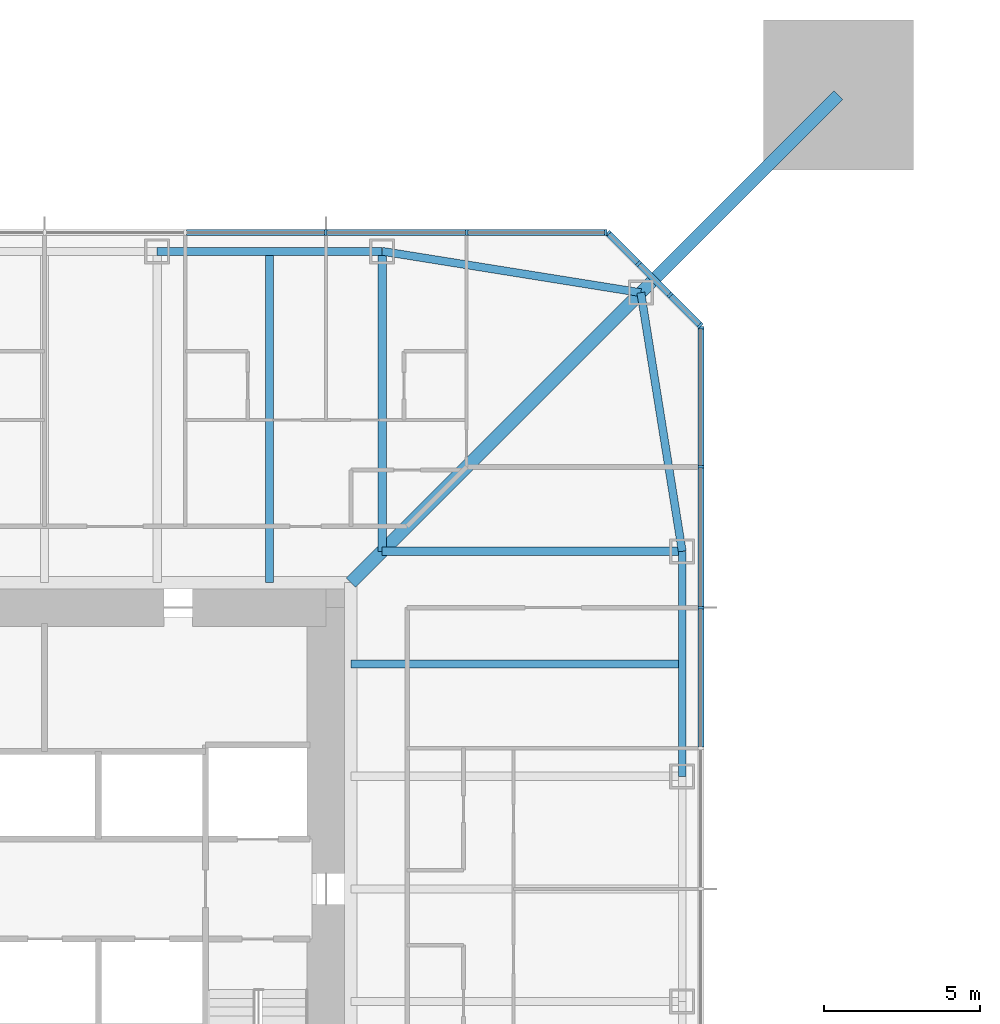
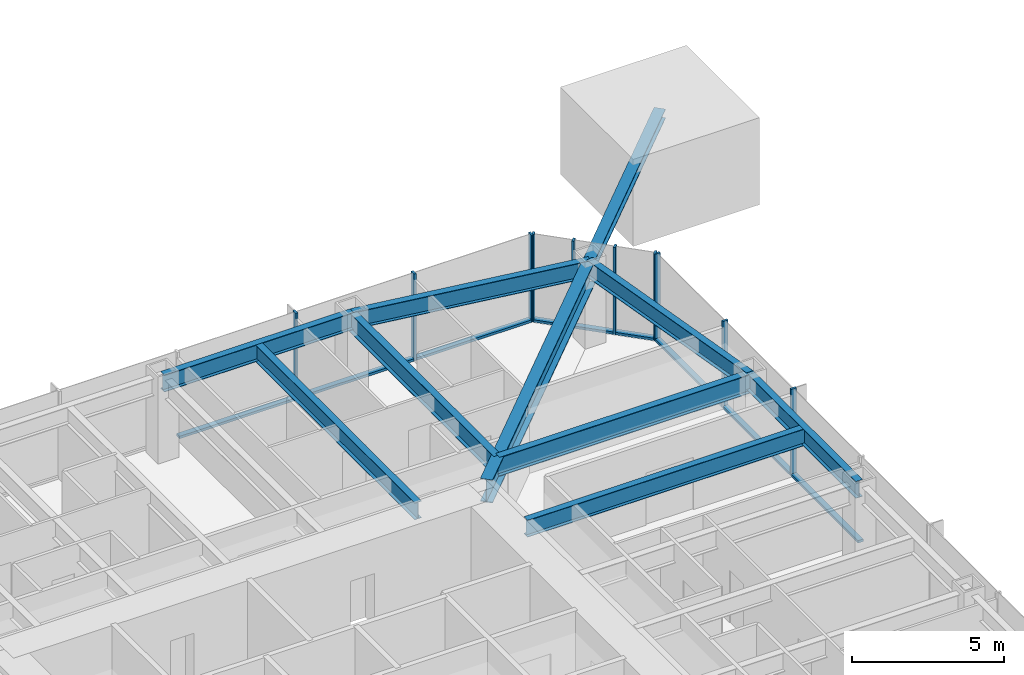
# One storey, part 7 of 25: 20 members, 9 beams, 3 elements without a shape of their own.
"""IFC4 building model written with IfcOpenShell, lengths in metres."""

import ifcopenshell
import ifcopenshell.guid

model = None  # the IFC model being written
_history = None  # IfcOwnerHistory: only IFC2X3 demands one
_inside = {}  # id of a spatial element -> (the spatial element, [elements in it])
_under = {}  # id of a project, library or spatial element -> (it, [spatial elements below it])
_declared = {}  # id of a project -> (the project, [libraries it declares])
_typed = {}  # id of a type object -> (the type object, [elements of that type])
_made_of = {}  # id of a material, layer set ... -> (it, [elements and type objects made of it])


def new_model(schema):
    """Start an empty IFC model of exactly this schema.

    Asked for "IFC4X3", IfcOpenShell would pick the latest addendum, in which some entities
    have other attributes; the version numbers below select the first issue.
    IFC2X3 requires an IfcOwnerHistory on every rooted entity: one is made here for all.
    """
    global model, _history
    if schema == "IFC4X3":
        model = ifcopenshell.file(schema_version=(4, 3, 0, 0))
    else:
        model = ifcopenshell.file(schema=schema)
    _inside.clear()
    _under.clear()
    _declared.clear()
    _typed.clear()
    _made_of.clear()
    _history = None
    if model.schema == "IFC2X3":
        org = make("IfcOrganization", Name="unknown")
        user = make(
            "IfcPersonAndOrganization",
            ThePerson=make("IfcPerson", FamilyName="unknown"),
            TheOrganization=org,
        )
        app = make(
            "IfcApplication",
            ApplicationDeveloper=org,
            Version="unknown",
            ApplicationFullName="unknown",
            ApplicationIdentifier="unknown",
        )
        _history = make(
            "IfcOwnerHistory",
            OwningUser=user,
            OwningApplication=app,
            ChangeAction="ADDED",
            CreationDate=0,
        )
    return model


def make(cls, **values):
    """One entity of the class cls with the attributes given. An attribute that is None is left unset."""
    return model.create_entity(
        cls, **{name: value for name, value in values.items() if value is not None}
    )


def rooted(cls, **values):
    """An entity with a GlobalId (a new one), such as an element, a storey or a relation."""
    return make(cls, GlobalId=ifcopenshell.guid.new(), OwnerHistory=_history, **values)


def si_unit(unit_type, name, prefix=None):
    """IfcSIUnit, for example si_unit("LENGTHUNIT", "METRE", prefix="MILLI")."""
    return make("IfcSIUnit", UnitType=unit_type, Prefix=prefix, Name=name)


def assignment(units):
    """IfcUnitAssignment: the units of a project."""
    return None if units is None else make("IfcUnitAssignment", Units=units)


def point(xyz):
    """IfcCartesianPoint."""
    return None if xyz is None else make("IfcCartesianPoint", Coordinates=xyz)


def direction(xyz):
    """IfcDirection."""
    return None if xyz is None else make("IfcDirection", DirectionRatios=xyz)


def frame(location, z_axis=None, x_axis=None):
    """IfcAxis2Placement3D, a coordinate frame: its origin and axes. An axis left out is left unset."""
    return make(
        "IfcAxis2Placement3D",
        Location=point(location),
        Axis=direction(z_axis),
        RefDirection=direction(x_axis),
    )


def frame_2d(location, x_axis=None):
    """IfcAxis2Placement2D, a coordinate frame in the plane: its origin and x axis."""
    return make(
        "IfcAxis2Placement2D", Location=point(location), RefDirection=direction(x_axis)
    )


def origin():
    """The frame at (0, 0, 0) with its axes left unset."""
    return frame((0.0, 0.0, 0.0))


def origin_2d():
    """The frame at (0, 0) in the plane with its x axis left unset."""
    return frame_2d((0.0, 0.0))


def place(relative_to, where):
    """IfcLocalPlacement: puts the frame where relative to a parent placement (None: the world)."""
    return make(
        "IfcLocalPlacement", PlacementRelTo=relative_to, RelativePlacement=where
    )


def context(
    kind, dimensions, precision=None, world=None, true_north=None, identifier=None
):
    """IfcGeometricRepresentationContext, for example the 3D "Model" context."""
    return make(
        "IfcGeometricRepresentationContext",
        ContextIdentifier=identifier,
        ContextType=kind,
        CoordinateSpaceDimension=dimensions,
        Precision=precision,
        WorldCoordinateSystem=world,
        TrueNorth=true_north,
    )


def subcontext(parent, identifier, kind, view, scale=None):
    """IfcGeometricRepresentationSubContext, for example "Body" below "Model"."""
    return make(
        "IfcGeometricRepresentationSubContext",
        ContextIdentifier=identifier,
        ContextType=kind,
        ParentContext=parent,
        TargetScale=scale,
        TargetView=view,
    )


def project(units=None, contexts=None):
    """IfcProject with its units and contexts."""
    return rooted(
        "IfcProject",
        Name="project",
        RepresentationContexts=contexts,
        UnitsInContext=assignment(units),
    )


def spatial(cls, under=None, at=None, **own):
    """A site, building, storey or space (cls), placed at a placement, below another one or the project."""
    s = rooted(cls, ObjectPlacement=at, **own)
    if under is not None:
        _under.setdefault(under.id(), (under, []))[1].append(s)
    return s


def profile(cls, at=None, kind="AREA", **sizes):
    """A parametric profile (cls). Its sizes go by their IFC names, for example OverallWidth=200.0."""
    return make(cls, ProfileType=kind, Position=at, **sizes)


def rectangle(**sizes):
    """IfcRectangleProfileDef."""
    return profile("IfcRectangleProfileDef", **sizes)


def i_section(**sizes):
    """IfcIShapeProfileDef."""
    return profile("IfcIShapeProfileDef", **sizes)


def extrude(swept, where, along, depth):
    """IfcExtrudedAreaSolid: the profile swept, set in the frame where, extruded along a direction by depth."""
    return make(
        "IfcExtrudedAreaSolid",
        SweptArea=swept,
        Position=where,
        ExtrudedDirection=direction(along),
        Depth=depth,
    )


def shape(context_of_items, identifier, shape_type, items):
    """IfcShapeRepresentation: the items that make up one representation, for example the "Body"."""
    return make(
        "IfcShapeRepresentation",
        ContextOfItems=context_of_items,
        RepresentationIdentifier=identifier,
        RepresentationType=shape_type,
        Items=items,
    )


def material(Name=None, Category=None):
    """IfcMaterial."""
    return make("IfcMaterial", Name=Name, Category=Category)


def material_profile(
    of_material, cross_section, Name=None, Category=None, Priority=None
):
    """IfcMaterialProfile: a cross section and its material."""
    return make(
        "IfcMaterialProfile",
        Name=Name,
        Material=of_material,
        Profile=cross_section,
        Priority=Priority,
        Category=Category,
    )


def profile_set(profiles, Name=None, composite=None):
    """IfcMaterialProfileSet."""
    return make(
        "IfcMaterialProfileSet",
        Name=Name,
        MaterialProfiles=profiles,
        CompositeProfile=composite,
    )


def made_of(thing, what):
    """Note that an element or type object is made of a material, layer set ...; save() writes the relation."""
    if what is not None:
        _made_of.setdefault(what.id(), (what, []))[1].append(thing)
    return thing


def type_object(cls, material=None, **own):
    """A type object (cls), such as IfcWallType, which elements share."""
    return made_of(rooted(cls, **own), material)


def element(
    cls,
    number,
    at=None,
    inside=None,
    cuts=None,
    type_object=None,
    material=None,
    context=None,
    identifier="Body",
    shape_type=None,
    held_by="IfcProductDefinitionShape",
    body=None,
    shapes=None,
    **own,
):
    """One element of the class cls, such as IfcWall. Its Tag is "e" and its number.

    at: its placement. inside: the storey or other place that contains it. cuts: it is an
    opening in that element (IfcRelVoidsElement). A single representation is given by context,
    identifier, shape_type and body (its items); several are given by shapes. held_by: the class
    of the entity that holds the representations. save() writes the other relations.
    """
    e = rooted(cls, Tag="e%d" % number, ObjectPlacement=at, **own)
    if body is not None:
        shapes = [shape(context, identifier, shape_type, body)]
    if shapes is not None:
        e.Representation = make(held_by, Representations=shapes)
    if inside is not None:
        _inside.setdefault(inside.id(), (inside, []))[1].append(e)
    if cuts is not None:
        rooted(
            "IfcRelVoidsElement", RelatingBuildingElement=cuts, RelatedOpeningElement=e
        )
    if type_object is not None:
        _typed.setdefault(type_object.id(), (type_object, []))[1].append(e)
    return made_of(e, material)


def aggregate(whole, parts):
    """IfcRelAggregates: a whole, such as a stair, and the parts it consists of."""
    return rooted("IfcRelAggregates", RelatingObject=whole, RelatedObjects=parts)


def save(model, path):
    """Write the relations noted so far, then the file.

    IfcRelAggregates (storeys below a building ...), IfcRelContainedInSpatialStructure (elements
    in a storey), IfcRelDefinesByType, IfcRelAssociatesMaterial and IfcRelDeclares: one each for
    every whole, place, type object, material and project.
    """
    for whole, parts in _under.values():
        aggregate(whole, parts)
    for where, things in _inside.values():
        rooted(
            "IfcRelContainedInSpatialStructure",
            RelatedElements=things,
            RelatingStructure=where,
        )
    for kind, things in _typed.values():
        rooted("IfcRelDefinesByType", RelatedObjects=things, RelatingType=kind)
    for what, things in _made_of.values():
        rooted("IfcRelAssociatesMaterial", RelatedObjects=things, RelatingMaterial=what)
    for by, libraries in _declared.values():
        rooted("IfcRelDeclares", RelatingContext=by, RelatedDefinitions=libraries)
    model.write(path)


model = new_model("IFC4")

# Units and contexts
model_context = context("Model", 3, precision=1e-05, world=origin(), true_north=direction((0.0, 1.0)))
body_context = subcontext(model_context, "Body", "Model", "MODEL_VIEW")
ifc_project = project(units=[si_unit("LENGTHUNIT", "METRE"), si_unit("AREAUNIT", "SQUARE_METRE"), si_unit("VOLUMEUNIT", "CUBIC_METRE"), si_unit("PLANEANGLEUNIT", "RADIAN"), si_unit("MASSUNIT", "GRAM", prefix="KILO")], contexts=[model_context])

# Site, building, storey
site_placement = place(None, origin())
site = spatial("IfcSite", under=ifc_project, at=site_placement, CompositionType="ELEMENT")
building_placement = place(site_placement, origin())
building = spatial("IfcBuilding", under=site, at=building_placement, Name="Iwan Alto Co-Living Towers", CompositionType="ELEMENT")
storey_placement = place(building_placement, frame((0.0, 0.0, 112.0)))
storey = spatial("IfcBuildingStorey", under=building, at=storey_placement, Name="L30", CompositionType="ELEMENT", Elevation=112.0)

# Curtain wall, members
ifc_material_1 = material(Name="Bronze aluminium unitised frame", Category="aluminium")
curtain_wall_type_1 = type_object("IfcCurtainWallType", Name="CURTAIN WALL CW-A", PredefinedType="NOTDEFINED", material=ifc_material_1)
curtain_wall_1_placement = place(storey_placement, origin())
curtain_wall_1 = element("IfcCurtainWall", 1, at=curtain_wall_1_placement, inside=storey, type_object=curtain_wall_type_1, Name="T1 curtain wall E L30", PredefinedType="NOTDEFINED")
ifc_material_2 = material(Name="Aluminium 6063-T6 bronze anodised", Category="aluminium")
ifc_material_profile_1 = material_profile(ifc_material_2, rectangle(XDim=0.199951171875, YDim=0.080078125, at=origin_2d()), Name="AL 80X200")
ifc_profile_set_1 = profile_set([ifc_material_profile_1], Name="Aluminium 6063-T6 bronze anodised")
member_type_1 = type_object("IfcMemberType", Name="CW-A MULLION 80X200", PredefinedType="MULLION", material=ifc_profile_set_1)
member_1_placement = place(storey_placement, frame((21.0, 9.0, 0.0), z_axis=(0.0, 0.0, 1.0), x_axis=(-1.0, 0.0, 0.0)))
member_1 = element("IfcMember", 2, at=member_1_placement, type_object=member_type_1, Name="CW-A mullion 7", PredefinedType="MULLION", context=body_context, shape_type="SweptSolid", body=[
    extrude(rectangle(XDim=0.199951171875, YDim=0.080078125, at=origin_2d()), origin(), (0.0, 0.0, 1.0), 3.5),
])
member_2_placement = place(storey_placement, frame((21.0, 13.5, 0.0), z_axis=(0.0, 0.0, 1.0), x_axis=(-1.0, 0.0, 0.0)))
member_2 = element("IfcMember", 3, at=member_2_placement, type_object=member_type_1, Name="CW-A mullion 8", PredefinedType="MULLION", context=body_context, shape_type="SweptSolid", body=[
    extrude(rectangle(XDim=0.199951171875, YDim=0.080078125, at=origin_2d()), origin(), (0.0, 0.0, 1.0), 3.5),
])
member_3_placement = place(storey_placement, frame((21.0, 17.9599609375, 0.0), z_axis=(0.0, 0.0, 1.0), x_axis=(-1.0, 0.0, 0.0)))
member_3 = element("IfcMember", 4, at=member_3_placement, type_object=member_type_1, Name="CW-A mullion 9", PredefinedType="MULLION", context=body_context, shape_type="SweptSolid", body=[
    extrude(rectangle(XDim=0.199951171875, YDim=0.080078125, at=origin_2d()), origin(), (0.0, 0.0, 1.0), 3.5),
])

curtain_wall_2_placement = place(storey_placement, origin())
curtain_wall_2 = element("IfcCurtainWall", 5, at=curtain_wall_2_placement, inside=storey, type_object=curtain_wall_type_1, Name="T1 curtain wall N L30", PredefinedType="NOTDEFINED")
member_4_placement = place(storey_placement, frame((17.9599609375, 21.0, 0.0), z_axis=(0.0, 0.0, 1.0), x_axis=(0.0, -1.0, 0.0)))
member_4 = element("IfcMember", 6, at=member_4_placement, type_object=member_type_1, Name="CW-A mullion 1", PredefinedType="MULLION", context=body_context, shape_type="SweptSolid", body=[
    extrude(rectangle(XDim=0.199951171875, YDim=0.080078125, at=origin_2d()), origin(), (0.0, 0.0, 1.0), 3.5),
])
member_5_placement = place(storey_placement, frame((13.5, 21.0, 0.0), z_axis=(0.0, 0.0, 1.0), x_axis=(0.0, -1.0, 0.0)))
member_5 = element("IfcMember", 7, at=member_5_placement, type_object=member_type_1, Name="CW-A mullion 2", PredefinedType="MULLION", context=body_context, shape_type="SweptSolid", body=[
    extrude(rectangle(XDim=0.199951171875, YDim=0.080078125, at=origin_2d()), origin(), (0.0, 0.0, 1.0), 3.5),
])
member_6_placement = place(storey_placement, frame((9.0, 21.0, 0.0), z_axis=(0.0, 0.0, 1.0), x_axis=(0.0, -1.0, 0.0)))
member_6 = element("IfcMember", 8, at=member_6_placement, type_object=member_type_1, Name="CW-A mullion 3", PredefinedType="MULLION", context=body_context, shape_type="SweptSolid", body=[
    extrude(rectangle(XDim=0.199951171875, YDim=0.080078125, at=origin_2d()), origin(), (0.0, 0.0, 1.0), 3.5),
])

# Member
ifc_material_3 = material(Name="Aluminium 6063-T6 bronze anodised", Category="aluminium")
ifc_material_profile_2 = material_profile(ifc_material_3, rectangle(XDim=0.199951171875, YDim=0.10009765625, at=origin_2d()), Name="AL 200X100")
ifc_profile_set_2 = profile_set([ifc_material_profile_2], Name="Aluminium 6063-T6 bronze anodised")
member_type_2 = type_object("IfcMemberType", Name="CW-A TRANSOM 200X100", PredefinedType="USERDEFINED", material=ifc_profile_set_2)
member_7_placement = place(storey_placement, frame((21.0, 4.5400390625, 0.050048828125), z_axis=(0.0, 1.0, 0.0), x_axis=(-1.0, 0.0, 0.0)))
member_7 = element("IfcMember", 9, at=member_7_placement, type_object=member_type_2, Name="CW-A transom 6.1", ObjectType="TRANSOM", PredefinedType="USERDEFINED", context=body_context, shape_type="SweptSolid", body=[
    extrude(rectangle(XDim=0.199951171875, YDim=0.10009765625, at=origin_2d()), origin(), (0.0, 0.0, 1.0), 4.419921875),
])

member_8_placement = place(storey_placement, frame((21.0, 9.0400390625, 0.050048828125), z_axis=(0.0, 1.0, 0.0), x_axis=(-1.0, 0.0, 0.0)))
member_8 = element("IfcMember", 10, at=member_8_placement, type_object=member_type_2, Name="CW-A transom 7.1", ObjectType="TRANSOM", PredefinedType="USERDEFINED", context=body_context, shape_type="SweptSolid", body=[
    extrude(rectangle(XDim=0.199951171875, YDim=0.10009765625, at=origin_2d()), origin(), (0.0, 0.0, 1.0), 4.419921875),
])

member_9_placement = place(storey_placement, frame((21.0, 13.5400390625, 0.050048828125), z_axis=(0.0, 1.0, 0.0), x_axis=(-1.0, 0.0, 0.0)))
member_9 = element("IfcMember", 11, at=member_9_placement, type_object=member_type_2, Name="CW-A transom 8.1", ObjectType="TRANSOM", PredefinedType="USERDEFINED", context=body_context, shape_type="SweptSolid", body=[
    extrude(rectangle(XDim=0.199951171875, YDim=0.10009765625, at=origin_2d()), origin(), (0.0, 0.0, 1.0), 4.3798828125),
])

aggregate(curtain_wall_1, [member_1, member_2, member_3, member_7, member_8, member_9])

member_10_placement = place(storey_placement, frame((17.919921875, 21.0, 0.050048828125), z_axis=(-1.0, 0.0, 0.0), x_axis=(0.0, -1.0, 0.0)))
member_10 = element("IfcMember", 12, at=member_10_placement, type_object=member_type_2, Name="CW-A transom 1.1", ObjectType="TRANSOM", PredefinedType="USERDEFINED", context=body_context, shape_type="SweptSolid", body=[
    extrude(rectangle(XDim=0.199951171875, YDim=0.10009765625, at=origin_2d()), origin(), (0.0, 0.0, 1.0), 4.3798828125),
])

member_11_placement = place(storey_placement, frame((13.4599609375, 21.0, 0.050048828125), z_axis=(-1.0, 0.0, 0.0), x_axis=(0.0, -1.0, 0.0)))
member_11 = element("IfcMember", 13, at=member_11_placement, type_object=member_type_2, Name="CW-A transom 2.1", ObjectType="TRANSOM", PredefinedType="USERDEFINED", context=body_context, shape_type="SweptSolid", body=[
    extrude(rectangle(XDim=0.199951171875, YDim=0.10009765625, at=origin_2d()), origin(), (0.0, 0.0, 1.0), 4.419921875),
])

member_12_placement = place(storey_placement, frame((8.9599609375, 21.0, 0.050048828125), z_axis=(-1.0, 0.0, 0.0), x_axis=(0.0, -1.0, 0.0)))
member_12 = element("IfcMember", 14, at=member_12_placement, type_object=member_type_2, Name="CW-A transom 3.1", ObjectType="TRANSOM", PredefinedType="USERDEFINED", context=body_context, shape_type="SweptSolid", body=[
    extrude(rectangle(XDim=0.199951171875, YDim=0.10009765625, at=origin_2d()), origin(), (0.0, 0.0, 1.0), 4.419921875),
])

aggregate(curtain_wall_2, [member_4, member_5, member_6, member_10, member_11, member_12])

# Curtain wall, members
ifc_material_4 = material(Name="Bronze aluminium unitised frame", Category="aluminium")
curtain_wall_type_2 = type_object("IfcCurtainWallType", Name="CURTAIN WALL CW-B", PredefinedType="NOTDEFINED", material=ifc_material_4)
curtain_wall_3_placement = place(storey_placement, origin())
curtain_wall_3 = element("IfcCurtainWall", 15, at=curtain_wall_3_placement, inside=storey, type_object=curtain_wall_type_2, Name="T1 chamfer curtain wall NE L30", PredefinedType="NOTDEFINED")
ifc_material_5 = material(Name="Aluminium 6063-T6 bronze anodised", Category="aluminium")
ifc_material_profile_3 = material_profile(ifc_material_5, rectangle(XDim=0.199951171875, YDim=0.080078125, at=origin_2d()), Name="AL 80X200")
ifc_profile_set_3 = profile_set([ifc_material_profile_3], Name="Aluminium 6063-T6 bronze anodised")
member_type_3 = type_object("IfcMemberType", Name="CW-B MULLION 80X200", PredefinedType="MULLION", material=ifc_profile_set_3)
member_13_placement = place(storey_placement, frame((20.9716796875, 18.0283203125, 0.0), z_axis=(0.0, 0.0, 1.0), x_axis=(-0.707106781187, -0.707106781187, 0.0)))
member_13 = element("IfcMember", 16, at=member_13_placement, type_object=member_type_3, Name="CW-B mullion 1", PredefinedType="MULLION", context=body_context, shape_type="SweptSolid", body=[
    extrude(rectangle(XDim=0.199951171875, YDim=0.080078125, at=origin_2d()), origin(), (0.0, 0.0, 1.0), 3.5),
])
member_14_placement = place(storey_placement, frame((20.0, 19.0, 0.0), z_axis=(0.0, 0.0, 1.0), x_axis=(-0.707106781187, -0.707106781187, 0.0)))
member_14 = element("IfcMember", 17, at=member_14_placement, type_object=member_type_3, Name="CW-B mullion 2", PredefinedType="MULLION", context=body_context, shape_type="SweptSolid", body=[
    extrude(rectangle(XDim=0.199951171875, YDim=0.080078125, at=origin_2d()), origin(), (0.0, 0.0, 1.0), 3.5),
])
member_15_placement = place(storey_placement, frame((19.0, 20.0, 0.0), z_axis=(0.0, 0.0, 1.0), x_axis=(-0.707106781187, -0.707106781187, 0.0)))
member_15 = element("IfcMember", 18, at=member_15_placement, type_object=member_type_3, Name="CW-B mullion 3", PredefinedType="MULLION", context=body_context, shape_type="SweptSolid", body=[
    extrude(rectangle(XDim=0.199951171875, YDim=0.080078125, at=origin_2d()), origin(), (0.0, 0.0, 1.0), 3.5),
])
member_16_placement = place(storey_placement, frame((18.0283203125, 20.9716796875, 0.0), z_axis=(0.0, 0.0, 1.0), x_axis=(-0.707106781187, -0.707106781187, 0.0)))
member_16 = element("IfcMember", 19, at=member_16_placement, type_object=member_type_3, Name="CW-B mullion 4", PredefinedType="MULLION", context=body_context, shape_type="SweptSolid", body=[
    extrude(rectangle(XDim=0.199951171875, YDim=0.080078125, at=origin_2d()), origin(), (0.0, 0.0, 1.0), 3.5),
])
ifc_material_6 = material(Name="Aluminium 6063-T6 bronze anodised", Category="aluminium")
ifc_material_profile_4 = material_profile(ifc_material_6, rectangle(XDim=0.199951171875, YDim=0.10009765625, at=origin_2d()), Name="AL 200X100")
ifc_profile_set_4 = profile_set([ifc_material_profile_4], Name="Aluminium 6063-T6 bronze anodised")
member_type_4 = type_object("IfcMemberType", Name="CW-B TRANSOM 200X100", PredefinedType="USERDEFINED", material=ifc_profile_set_4)
member_17_placement = place(storey_placement, frame((20.943359375, 18.056640625, 0.050048828125), z_axis=(-0.707106781187, 0.707106781187, 0.0), x_axis=(-0.707106781187, -0.707106781187, 0.0)))
member_17 = element("IfcMember", 20, at=member_17_placement, type_object=member_type_4, Name="CW-B transom 1.1", ObjectType="TRANSOM", PredefinedType="USERDEFINED", context=body_context, shape_type="SweptSolid", body=[
    extrude(rectangle(XDim=0.199951171875, YDim=0.10009765625, at=origin_2d()), origin(), (0.0, 0.0, 1.0), 1.2939453125),
])
member_18_placement = place(storey_placement, frame((19.9716796875, 19.0283203125, 0.050048828125), z_axis=(-0.707106781187, 0.707106781187, 0.0), x_axis=(-0.707106781187, -0.707106781187, 0.0)))
member_18 = element("IfcMember", 21, at=member_18_placement, type_object=member_type_4, Name="CW-B transom 2.1", ObjectType="TRANSOM", PredefinedType="USERDEFINED", context=body_context, shape_type="SweptSolid", body=[
    extrude(rectangle(XDim=0.199951171875, YDim=0.10009765625, at=origin_2d()), origin(), (0.0, 0.0, 1.0), 1.334228515625),
])
member_19_placement = place(storey_placement, frame((18.9716796875, 20.0283203125, 0.050048828125), z_axis=(-0.707106781187, 0.707106781187, 0.0), x_axis=(-0.707106781187, -0.707106781187, 0.0)))
member_19 = element("IfcMember", 22, at=member_19_placement, type_object=member_type_4, Name="CW-B transom 3.1", ObjectType="TRANSOM", PredefinedType="USERDEFINED", context=body_context, shape_type="SweptSolid", body=[
    extrude(rectangle(XDim=0.199951171875, YDim=0.10009765625, at=origin_2d()), origin(), (0.0, 0.0, 1.0), 1.2939453125),
])
aggregate(curtain_wall_3, [member_13, member_14, member_15, member_16, member_17, member_18, member_19])

# Beams
ifc_material_7 = material(Name="Steel ASTM A992 Gr 50", Category="steel")
ifc_material_profile_5 = material_profile(ifc_material_7, i_section(OverallWidth=0.419189453125, OverallDepth=0.927001953125, WebThickness=0.019287109375, FlangeThickness=0.031982421875, at=origin_2d()), Name="W36X231")
ifc_profile_set_5 = profile_set([ifc_material_profile_5], Name="Steel ASTM A992 Gr 50")
beam_type_1 = type_object("IfcBeamType", Name="T1 CORNER GIRDER W36X231", PredefinedType="BEAM", material=ifc_profile_set_5)
beam_1_placement = place(storey_placement, frame((19.07568359375, 19.07568359375, 2.806396484375), z_axis=(-0.707106781187, -0.707106781187, 0.0), x_axis=(0.707106781187, -0.707106781187, 0.0)))
element("IfcBeam", 23, at=beam_1_placement, inside=storey, type_object=beam_type_1, Name="T1 corner girder CNE L31", PredefinedType="BEAM", context=body_context, shape_type="SweptSolid", body=[
    extrude(i_section(OverallWidth=0.419189453125, OverallDepth=0.927001953125, WebThickness=0.019287109375, FlangeThickness=0.031982421875, at=origin_2d()), origin(), (0.0, 0.0, 1.0), 13.11865234375),
])
ifc_material_8 = material(Name="Steel ASTM A992 Gr 50", Category="steel")
ifc_material_profile_6 = material_profile(ifc_material_8, i_section(OverallWidth=0.25390625, OverallDepth=0.683349609375, WebThickness=0.012451171875, FlangeThickness=0.018798828125, at=origin_2d()), Name="W27X94")
ifc_profile_set_6 = profile_set([ifc_material_profile_6], Name="Steel ASTM A992 Gr 50")
beam_type_2 = type_object("IfcBeamType", Name="T1 EDGE BEAM W27X94", PredefinedType="BEAM", material=ifc_profile_set_6)
beam_2_placement = place(storey_placement, frame((20.39990234375, 3.60009765625, 2.928466796875), z_axis=(0.0, 1.0, 0.0), x_axis=(-1.0, 0.0, 0.0)))
element("IfcBeam", 24, at=beam_2_placement, inside=storey, type_object=beam_type_2, Name="T1 edge beam E3 L31", PredefinedType="BEAM", context=body_context, shape_type="SweptSolid", body=[
    extrude(i_section(OverallWidth=0.25390625, OverallDepth=0.683349609375, WebThickness=0.012451171875, FlangeThickness=0.018798828125, at=origin_2d()), origin(), (0.0, 0.0, 1.0), 7.199951171875),
])
for number, where, z_axis, x_axis, name in (
    (25, (20.39990234375, 10.800048828125, 2.928466796875), (-0.158004134737, 0.987438450439, 0.0), (-0.987438450439, -0.158004134737, 0.0), "T1 edge beam E4 L31"),
    (26, (19.07568359375, 19.07568359375, 2.928466796875), (-0.987438450439, 0.158004134737, 0.0), (-0.158004134737, -0.987438450439, 0.0), "T1 edge beam CNE L31"),
):
    element("IfcBeam", number, at=place(storey_placement, frame(where, z_axis=z_axis, x_axis=x_axis)), inside=storey, type_object=beam_type_2, Name=name, PredefinedType="BEAM", context=body_context, shape_type="SweptSolid", body=[
        extrude(i_section(OverallWidth=0.25390625, OverallDepth=0.683349609375, WebThickness=0.012451171875, FlangeThickness=0.018798828125, at=origin_2d()), origin(), (0.0, 0.0, 1.0), 8.380859375),
    ])
beam_3_placement = place(storey_placement, frame((10.800048828125, 20.39990234375, 2.928466796875), z_axis=(-1.0, 0.0, 0.0), x_axis=(0.0, -1.0, 0.0)))
element("IfcBeam", 27, at=beam_3_placement, inside=storey, type_object=beam_type_2, Name="T1 edge beam N1 L31", PredefinedType="BEAM", context=body_context, shape_type="SweptSolid", body=[
    extrude(i_section(OverallWidth=0.25390625, OverallDepth=0.683349609375, WebThickness=0.012451171875, FlangeThickness=0.018798828125, at=origin_2d()), origin(), (0.0, 0.0, 1.0), 7.199951171875),
])

# Member
ifc_material_9 = material(Name="Steel ASTM A992 Gr 50", Category="steel")
ifc_material_profile_7 = material_profile(ifc_material_9, i_section(OverallWidth=0.393798828125, OverallDepth=0.3759765625, WebThickness=0.017333984375, FlangeThickness=0.027587890625, at=origin_2d()), Name="W14X145")
ifc_profile_set_7 = profile_set([ifc_material_profile_7], Name="Steel ASTM A992 Gr 50")
member_type_5 = type_object("IfcMemberType", Name="T1 MEGA COLUMN FLOOR TIE W14X145", PredefinedType="STRUT", material=ifc_profile_set_7)
member_20_placement = place(storey_placement, frame((25.39990234375, 25.39990234375, 3.08203125), z_axis=(-0.707106781187, -0.707106781187, 0.0), x_axis=(0.707106781187, -0.707106781187, 0.0)))
element("IfcMember", 28, at=member_20_placement, inside=storey, type_object=member_type_5, Name="T1 mega column floor tie NE L31", PredefinedType="STRUT", context=body_context, shape_type="SweptSolid", body=[
    extrude(i_section(OverallWidth=0.393798828125, OverallDepth=0.3759765625, WebThickness=0.017333984375, FlangeThickness=0.027587890625, at=origin_2d()), origin(), (0.0, 0.0, 1.0), 8.94384765625),
])

# Beams
ifc_material_10 = material(Name="Steel ASTM A992 Gr 50", Category="steel")
ifc_material_profile_8 = material_profile(ifc_material_10, i_section(OverallWidth=0.2666015625, OverallDepth=0.761962890625, WebThickness=0.014404296875, FlangeThickness=0.021484375, at=origin_2d()), Name="W30X116")
ifc_profile_set_8 = profile_set([ifc_material_profile_8], Name="Steel ASTM A992 Gr 50")
beam_type_3 = type_object("IfcBeamType", Name="T1 RADIAL BEAM W30X116", PredefinedType="BEAM", material=ifc_profile_set_8)
for number, where, z_axis, x_axis, name in (
    (29, (20.39990234375, 10.800048828125, 2.888916015625), (-1.0, 0.0, 0.0), (0.0, -1.0, 0.0), "T1 radial beam E4 L31"),
    (30, (10.800048828125, 20.39990234375, 2.888916015625), (0.0, -1.0, 0.0), (1.0, 0.0, 0.0), "T1 radial beam N1 L31"),
):
    element("IfcBeam", number, at=place(storey_placement, frame(where, z_axis=z_axis, x_axis=x_axis)), inside=storey, type_object=beam_type_3, Name=name, PredefinedType="BEAM", context=body_context, shape_type="SweptSolid", body=[
        extrude(i_section(OverallWidth=0.2666015625, OverallDepth=0.761962890625, WebThickness=0.014404296875, FlangeThickness=0.021484375, at=origin_2d()), origin(), (0.0, 0.0, 1.0), 9.599853515625),
    ])
ifc_material_11 = material(Name="Steel ASTM A992 Gr 50", Category="steel")
ifc_material_profile_9 = material_profile(ifc_material_11, i_section(OverallWidth=0.25390625, OverallDepth=0.683349609375, WebThickness=0.012451171875, FlangeThickness=0.018798828125, at=origin_2d()), Name="W27X94")
ifc_profile_set_9 = profile_set([ifc_material_profile_9], Name="Steel ASTM A992 Gr 50")
beam_type_4 = type_object("IfcBeamType", Name="T1 SECONDARY BEAM W27X94", PredefinedType="JOIST", material=ifc_profile_set_9)
for number, where, z_axis, x_axis, name in (
    (31, (20.39990234375, 7.199951171875, 2.928466796875), (-1.0, 0.0, 0.0), (0.0, -1.0, 0.0), "T1 secondary beam E3 L31"),
    (32, (7.199951171875, 20.39990234375, 2.928466796875), (0.0, -1.0, 0.0), (1.0, 0.0, 0.0), "T1 secondary beam N1 L31"),
):
    element("IfcBeam", number, at=place(storey_placement, frame(where, z_axis=z_axis, x_axis=x_axis)), inside=storey, type_object=beam_type_4, Name=name, PredefinedType="JOIST", context=body_context, shape_type="SweptSolid", body=[
        extrude(i_section(OverallWidth=0.25390625, OverallDepth=0.683349609375, WebThickness=0.012451171875, FlangeThickness=0.018798828125, at=origin_2d()), origin(), (0.0, 0.0, 1.0), 10.6005859375),
    ])

save(model, "model.ifc")
